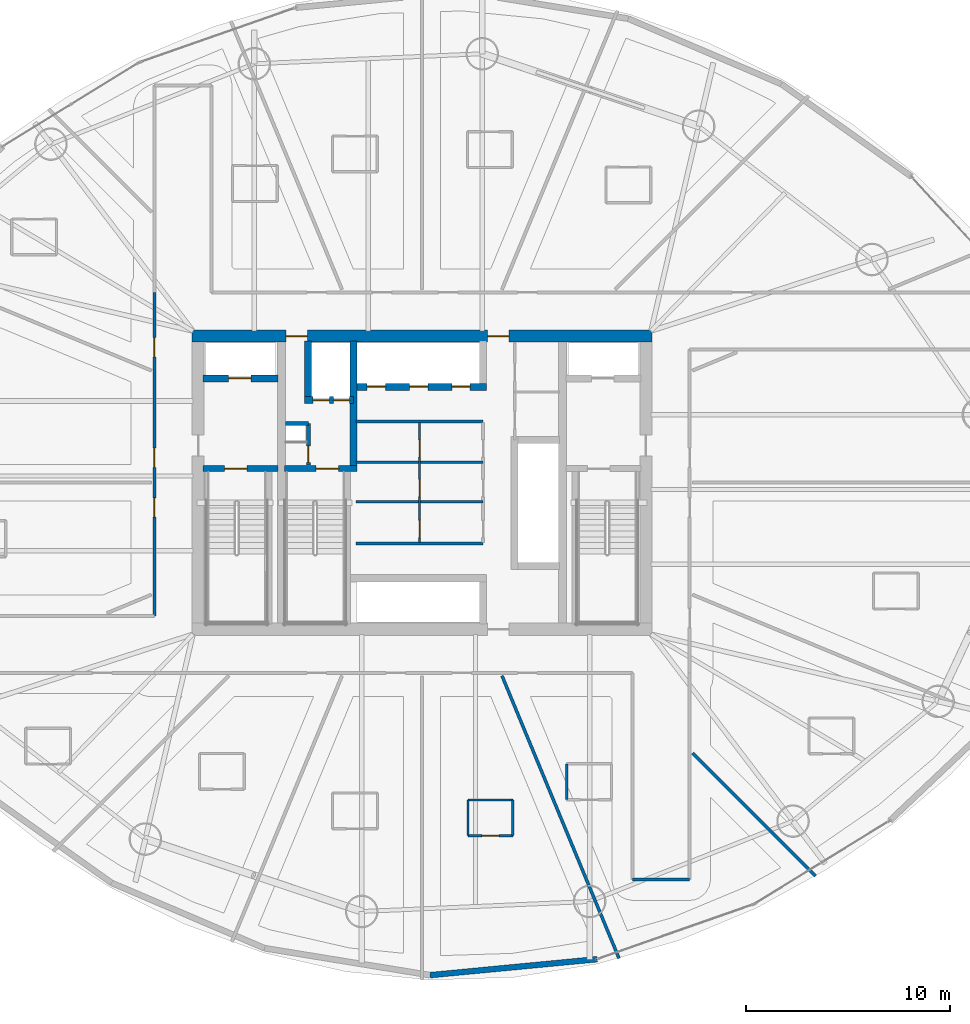
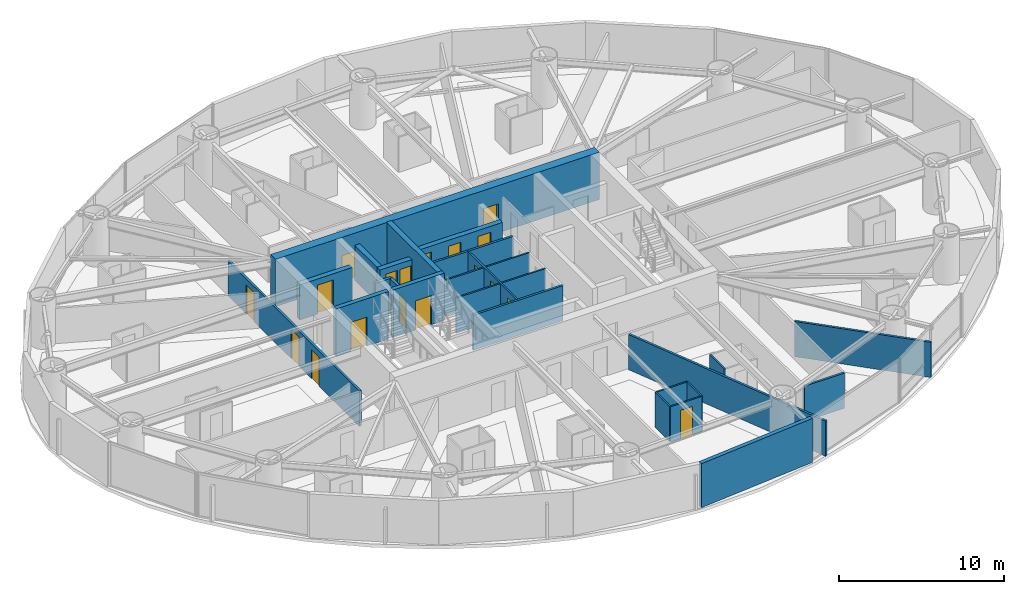
# One storey, part 19 of 27: 25 walls, 18 doors, 18 openings.
"""IFC4 building model written with IfcOpenShell, lengths in metres."""

import ifcopenshell
import ifcopenshell.guid

model = None  # the IFC model being written
_history = None  # IfcOwnerHistory: only IFC2X3 demands one
_inside = {}  # id of a spatial element -> (the spatial element, [elements in it])
_under = {}  # id of a project, library or spatial element -> (it, [spatial elements below it])
_declared = {}  # id of a project -> (the project, [libraries it declares])
_typed = {}  # id of a type object -> (the type object, [elements of that type])
_made_of = {}  # id of a material, layer set ... -> (it, [elements and type objects made of it])


def new_model(schema):
    """Start an empty IFC model of exactly this schema.

    Asked for "IFC4X3", IfcOpenShell would pick the latest addendum, in which some entities
    have other attributes; the version numbers below select the first issue.
    IFC2X3 requires an IfcOwnerHistory on every rooted entity: one is made here for all.
    """
    global model, _history
    if schema == "IFC4X3":
        model = ifcopenshell.file(schema_version=(4, 3, 0, 0))
    else:
        model = ifcopenshell.file(schema=schema)
    _inside.clear()
    _under.clear()
    _declared.clear()
    _typed.clear()
    _made_of.clear()
    _history = None
    if model.schema == "IFC2X3":
        org = make("IfcOrganization", Name="unknown")
        user = make(
            "IfcPersonAndOrganization",
            ThePerson=make("IfcPerson", FamilyName="unknown"),
            TheOrganization=org,
        )
        app = make(
            "IfcApplication",
            ApplicationDeveloper=org,
            Version="unknown",
            ApplicationFullName="unknown",
            ApplicationIdentifier="unknown",
        )
        _history = make(
            "IfcOwnerHistory",
            OwningUser=user,
            OwningApplication=app,
            ChangeAction="ADDED",
            CreationDate=0,
        )
    return model


def make(cls, **values):
    """One entity of the class cls with the attributes given. An attribute that is None is left unset."""
    return model.create_entity(
        cls, **{name: value for name, value in values.items() if value is not None}
    )


def rooted(cls, **values):
    """An entity with a GlobalId (a new one), such as an element, a storey or a relation."""
    return make(cls, GlobalId=ifcopenshell.guid.new(), OwnerHistory=_history, **values)


def si_unit(unit_type, name, prefix=None):
    """IfcSIUnit, for example si_unit("LENGTHUNIT", "METRE", prefix="MILLI")."""
    return make("IfcSIUnit", UnitType=unit_type, Prefix=prefix, Name=name)


def assignment(units):
    """IfcUnitAssignment: the units of a project."""
    return None if units is None else make("IfcUnitAssignment", Units=units)


def point(xyz):
    """IfcCartesianPoint."""
    return None if xyz is None else make("IfcCartesianPoint", Coordinates=xyz)


def direction(xyz):
    """IfcDirection."""
    return None if xyz is None else make("IfcDirection", DirectionRatios=xyz)


def frame(location, z_axis=None, x_axis=None):
    """IfcAxis2Placement3D, a coordinate frame: its origin and axes. An axis left out is left unset."""
    return make(
        "IfcAxis2Placement3D",
        Location=point(location),
        Axis=direction(z_axis),
        RefDirection=direction(x_axis),
    )


def frame_2d(location, x_axis=None):
    """IfcAxis2Placement2D, a coordinate frame in the plane: its origin and x axis."""
    return make(
        "IfcAxis2Placement2D", Location=point(location), RefDirection=direction(x_axis)
    )


def origin():
    """The frame at (0, 0, 0) with its axes left unset."""
    return frame((0.0, 0.0, 0.0))


def place(relative_to, where):
    """IfcLocalPlacement: puts the frame where relative to a parent placement (None: the world)."""
    return make(
        "IfcLocalPlacement", PlacementRelTo=relative_to, RelativePlacement=where
    )


def context(
    kind, dimensions, precision=None, world=None, true_north=None, identifier=None
):
    """IfcGeometricRepresentationContext, for example the 3D "Model" context."""
    return make(
        "IfcGeometricRepresentationContext",
        ContextIdentifier=identifier,
        ContextType=kind,
        CoordinateSpaceDimension=dimensions,
        Precision=precision,
        WorldCoordinateSystem=world,
        TrueNorth=true_north,
    )


def subcontext(parent, identifier, kind, view, scale=None):
    """IfcGeometricRepresentationSubContext, for example "Body" below "Model"."""
    return make(
        "IfcGeometricRepresentationSubContext",
        ContextIdentifier=identifier,
        ContextType=kind,
        ParentContext=parent,
        TargetScale=scale,
        TargetView=view,
    )


def project(units=None, contexts=None):
    """IfcProject with its units and contexts."""
    return rooted(
        "IfcProject",
        Name="project",
        RepresentationContexts=contexts,
        UnitsInContext=assignment(units),
    )


def spatial(cls, under=None, at=None, **own):
    """A site, building, storey or space (cls), placed at a placement, below another one or the project."""
    s = rooted(cls, ObjectPlacement=at, **own)
    if under is not None:
        _under.setdefault(under.id(), (under, []))[1].append(s)
    return s


def profile(cls, at=None, kind="AREA", **sizes):
    """A parametric profile (cls). Its sizes go by their IFC names, for example OverallWidth=200.0."""
    return make(cls, ProfileType=kind, Position=at, **sizes)


def rectangle(**sizes):
    """IfcRectangleProfileDef."""
    return profile("IfcRectangleProfileDef", **sizes)


def extrude(swept, where, along, depth):
    """IfcExtrudedAreaSolid: the profile swept, set in the frame where, extruded along a direction by depth."""
    return make(
        "IfcExtrudedAreaSolid",
        SweptArea=swept,
        Position=where,
        ExtrudedDirection=direction(along),
        Depth=depth,
    )


def shape(context_of_items, identifier, shape_type, items):
    """IfcShapeRepresentation: the items that make up one representation, for example the "Body"."""
    return make(
        "IfcShapeRepresentation",
        ContextOfItems=context_of_items,
        RepresentationIdentifier=identifier,
        RepresentationType=shape_type,
        Items=items,
    )


def material(Name=None, Category=None):
    """IfcMaterial."""
    return make("IfcMaterial", Name=Name, Category=Category)


def layer(
    of_material, thickness, ventilated=None, Name=None, Category=None, Priority=None
):
    """IfcMaterialLayer: one layer of a wall or slab, of a material (None: an air gap)."""
    return make(
        "IfcMaterialLayer",
        Material=of_material,
        LayerThickness=thickness,
        IsVentilated=ventilated,
        Name=Name,
        Category=Category,
        Priority=Priority,
    )


def layer_set(layers, Name=None):
    """IfcMaterialLayerSet."""
    return make("IfcMaterialLayerSet", MaterialLayers=layers, LayerSetName=Name)


def made_of(thing, what):
    """Note that an element or type object is made of a material, layer set ...; save() writes the relation."""
    if what is not None:
        _made_of.setdefault(what.id(), (what, []))[1].append(thing)
    return thing


def type_object(cls, material=None, **own):
    """A type object (cls), such as IfcWallType, which elements share."""
    return made_of(rooted(cls, **own), material)


def element(
    cls,
    number,
    at=None,
    inside=None,
    cuts=None,
    type_object=None,
    material=None,
    context=None,
    identifier="Body",
    shape_type=None,
    held_by="IfcProductDefinitionShape",
    body=None,
    shapes=None,
    **own,
):
    """One element of the class cls, such as IfcWall. Its Tag is "e" and its number.

    at: its placement. inside: the storey or other place that contains it. cuts: it is an
    opening in that element (IfcRelVoidsElement). A single representation is given by context,
    identifier, shape_type and body (its items); several are given by shapes. held_by: the class
    of the entity that holds the representations. save() writes the other relations.
    """
    e = rooted(cls, Tag="e%d" % number, ObjectPlacement=at, **own)
    if body is not None:
        shapes = [shape(context, identifier, shape_type, body)]
    if shapes is not None:
        e.Representation = make(held_by, Representations=shapes)
    if inside is not None:
        _inside.setdefault(inside.id(), (inside, []))[1].append(e)
    if cuts is not None:
        rooted(
            "IfcRelVoidsElement", RelatingBuildingElement=cuts, RelatedOpeningElement=e
        )
    if type_object is not None:
        _typed.setdefault(type_object.id(), (type_object, []))[1].append(e)
    return made_of(e, material)


def fill(opening, filler):
    """IfcRelFillsElement: the door or window that sits in an opening."""
    return rooted(
        "IfcRelFillsElement",
        RelatingOpeningElement=opening,
        RelatedBuildingElement=filler,
    )


def aggregate(whole, parts):
    """IfcRelAggregates: a whole, such as a stair, and the parts it consists of."""
    return rooted("IfcRelAggregates", RelatingObject=whole, RelatedObjects=parts)


def save(model, path):
    """Write the relations noted so far, then the file.

    IfcRelAggregates (storeys below a building ...), IfcRelContainedInSpatialStructure (elements
    in a storey), IfcRelDefinesByType, IfcRelAssociatesMaterial and IfcRelDeclares: one each for
    every whole, place, type object, material and project.
    """
    for whole, parts in _under.values():
        aggregate(whole, parts)
    for where, things in _inside.values():
        rooted(
            "IfcRelContainedInSpatialStructure",
            RelatedElements=things,
            RelatingStructure=where,
        )
    for kind, things in _typed.values():
        rooted("IfcRelDefinesByType", RelatedObjects=things, RelatingType=kind)
    for what, things in _made_of.values():
        rooted("IfcRelAssociatesMaterial", RelatedObjects=things, RelatingMaterial=what)
    for by, libraries in _declared.values():
        rooted("IfcRelDeclares", RelatingContext=by, RelatedDefinitions=libraries)
    model.write(path)


model = new_model("IFC4")

# Units and contexts
model_context = context("Model", 3, precision=1e-05, world=origin(), true_north=direction((0.0, 1.0)))
body_context = subcontext(model_context, "Body", "Model", "MODEL_VIEW")
ifc_project = project(units=[si_unit("LENGTHUNIT", "METRE"), si_unit("AREAUNIT", "SQUARE_METRE"), si_unit("VOLUMEUNIT", "CUBIC_METRE"), si_unit("PLANEANGLEUNIT", "RADIAN"), si_unit("MASSUNIT", "GRAM", prefix="KILO")], contexts=[model_context])

# Site, building, storey
site_placement = place(None, origin())
site = spatial("IfcSite", under=ifc_project, at=site_placement, CompositionType="ELEMENT")
building_placement = place(site_placement, origin())
building = spatial("IfcBuilding", under=site, at=building_placement, Name="Bramvorn Convention Spire", CompositionType="ELEMENT")
storey_placement = place(building_placement, frame((0.0, 0.0, 44.89990234375)))
storey = spatial("IfcBuildingStorey", under=building, at=storey_placement, Name="L08", CompositionType="ELEMENT", Elevation=44.89990234375)

# Wall, openings, doors
ifc_material_1 = material(Name="Concrete C60/70", Category="concrete")
ifc_layer_1 = layer(ifc_material_1, 0.60009765625)
ifc_layer_set_1 = layer_set([ifc_layer_1], Name="Concrete C60/70 - WL-CORE-600")
wall_type_1 = type_object("IfcWallType", Name="WL-CORE-600", PredefinedType="SHEAR", material=ifc_layer_set_1)
wall_1_placement = place(storey_placement, frame((26.699951171875, 33.199951171875, 0.0), z_axis=(0.0, 0.0, 1.0), x_axis=(1.0, 0.0, 0.0)))
wall_1 = element("IfcWall", 1, at=wall_1_placement, inside=storey, type_object=wall_type_1, Name="L08 North RC core shear wall", PredefinedType="SHEAR", context=body_context, shape_type="SweptSolid", body=[
    extrude(rectangle(XDim=22.60009765625, YDim=0.60009765625, at=frame_2d((11.300048828125, 0.0))), origin(), (0.0, 0.0, 1.0), 3.5),
])
opening_1_placement = place(wall_1_placement, frame((4.6201171875, 0.0, 0.0)))
opening_1 = element("IfcOpeningElement", 2, at=opening_1_placement, cuts=wall_1, Name="Opening DL-105", PredefinedType="OPENING", context=body_context, shape_type="SweptSolid", body=[
    extrude(rectangle(XDim=1.050048828125, YDim=2.14990234375, at=frame_2d((0.52490234375, 1.074951171875))), frame((0.0, 0.31005859375, 0.0), z_axis=(0.0, -1.0, 0.0), x_axis=(1.0, 0.0, 0.0)), (0.0, 0.0, 1.0), 0.6201171875),
])
opening_2_placement = place(wall_1_placement, frame((14.52001953125, 0.0, 0.0)))
opening_2 = element("IfcOpeningElement", 3, at=opening_2_placement, cuts=wall_1, Name="Opening DL-105", PredefinedType="OPENING", context=body_context, shape_type="SweptSolid", body=[
    extrude(rectangle(XDim=1.050048828125, YDim=2.14990234375, at=frame_2d((0.52490234375, 1.074951171875))), frame((0.0, 0.31005859375, 0.0), z_axis=(0.0, -1.0, 0.0), x_axis=(1.0, 0.0, 0.0)), (0.0, 0.0, 1.0), 0.6201171875),
])
ifc_material_2 = material(Name="Smoke-Sealed Fire Lobby Timber-Core Door", Category="wood")
door_type_1 = type_object("IfcDoorType", Name="DR-LOBBY-1050", OperationType="NOTDEFINED", PredefinedType="DOOR", material=ifc_material_2)
door_1_placement = place(opening_1_placement, origin())
door_1 = element("IfcDoor", 4, at=door_1_placement, inside=storey, type_object=door_type_1, Name="L08 Service & Stair ST3 Lobby north corridor door", OperationType="SINGLE_SWING_LEFT", OverallHeight=2.14990234375, OverallWidth=1.050048828125, PredefinedType="DOOR", context=body_context, shape_type="SweptSolid", body=[
    extrude(rectangle(XDim=1.050048828125, YDim=2.14990234375, at=frame_2d((0.52490234375, 1.074951171875))), frame((0.0, 0.02490234375, 0.0), z_axis=(0.0, -1.0, 0.0), x_axis=(1.0, 0.0, 0.0)), (0.0, 0.0, 1.0), 0.050048828125),
])
fill(opening_1, door_1)
door_2_placement = place(opening_2_placement, origin())
door_2 = element("IfcDoor", 5, at=door_2_placement, inside=storey, type_object=door_type_1, Name="L08 North Lift Lobby fire door", OperationType="SINGLE_SWING_LEFT", OverallHeight=2.14990234375, OverallWidth=1.050048828125, PredefinedType="DOOR", context=body_context, shape_type="SweptSolid", body=[
    extrude(rectangle(XDim=1.050048828125, YDim=2.14990234375, at=frame_2d((0.52490234375, 1.074951171875))), frame((0.0, 0.02490234375, 0.0), z_axis=(0.0, -1.0, 0.0), x_axis=(1.0, 0.0, 0.0)), (0.0, 0.0, 1.0), 0.050048828125),
])
fill(opening_2, door_2)

# Wall, opening, door
ifc_material_3 = material(Name="Concrete C50/60", Category="concrete")
ifc_layer_2 = layer(ifc_material_3, 0.35009765625)
ifc_layer_set_2 = layer_set([ifc_layer_2], Name="Concrete C50/60 - WL-CORE-INT-350")
wall_type_2 = type_object("IfcWallType", Name="WL-CORE-INT-350", PredefinedType="SHEAR", material=ifc_layer_set_2)
wall_2_placement = place(storey_placement, frame((27.25, 31.1201171875, 0.0), z_axis=(0.0, 0.0, 1.0), x_axis=(1.0, 0.0, 0.0)))
wall_2 = element("IfcWall", 6, at=wall_2_placement, inside=storey, type_object=wall_type_2, Name="L08 FE1 shaft front wall", PredefinedType="SHEAR", context=body_context, shape_type="SweptSolid", body=[
    extrude(rectangle(XDim=3.669921875, YDim=0.35009765625, at=frame_2d((1.8349609375, 0.0))), origin(), (0.0, 0.0, 1.0), 2.60009765625),
])
opening_3_placement = place(wall_2_placement, frame((1.25, 0.0, 0.0)))
opening_3 = element("IfcOpeningElement", 7, at=opening_3_placement, cuts=wall_2, Name="Opening LD-110", PredefinedType="OPENING", context=body_context, shape_type="SweptSolid", body=[
    extrude(rectangle(XDim=1.10009765625, YDim=2.14990234375, at=frame_2d((0.550048828125, 1.074951171875))), frame((0.0, 0.18505859375, 0.0), z_axis=(0.0, -1.0, 0.0), x_axis=(1.0, 0.0, 0.0)), (0.0, 0.0, 1.0), 0.3701171875),
])
ifc_material_4 = material(Name="Firefighting & Service Lift Sliding Landing Door", Category="steel")
door_type_2 = type_object("IfcDoorType", Name="DR-LIFT-LD-1100", OperationType="NOTDEFINED", PredefinedType="DOOR", material=ifc_material_4)
door_3_placement = place(opening_3_placement, origin())
door_3 = element("IfcDoor", 8, at=door_3_placement, inside=storey, type_object=door_type_2, Name="L08 Lift FE1 Sliding Landing Door", OperationType="SLIDING_TO_LEFT", OverallHeight=2.14990234375, OverallWidth=1.10009765625, PredefinedType="DOOR", context=body_context, shape_type="SweptSolid", body=[
    extrude(rectangle(XDim=1.10009765625, YDim=2.14990234375, at=frame_2d((0.550048828125, 1.074951171875))), frame((0.0, 0.02490234375, 0.0), z_axis=(0.0, -1.0, 0.0), x_axis=(1.0, 0.0, 0.0)), (0.0, 0.0, 1.0), 0.050048828125),
])
fill(opening_3, door_3)

# Wall
wall_3_placement = place(storey_placement, frame((34.639892578125, 26.68994140625, 0.0), z_axis=(0.0, 0.0, 1.0), x_axis=(0.0, 1.0, 0.0)))
element("IfcWall", 9, at=wall_3_placement, inside=storey, type_object=wall_type_2, Name="L08 SV east core shaft wall", PredefinedType="SHEAR", context=body_context, shape_type="SweptSolid", body=[
    extrude(rectangle(XDim=6.260009765625, YDim=0.35009765625, at=frame_2d((3.1298828125, 0.0))), origin(), (0.0, 0.0, 1.0), 3.5),
])

# Wall, openings, doors
wall_4_placement = place(storey_placement, frame((32.22998046875, 30.050048828125, 0.0), z_axis=(0.0, 0.0, 1.0), x_axis=(1.0, 0.0, 0.0)))
wall_4 = element("IfcWall", 10, at=wall_4_placement, inside=storey, type_object=wall_type_2, Name="L08 SV1/SV2 shaft front wall", PredefinedType="SHEAR", context=body_context, shape_type="SweptSolid", body=[
    extrude(rectangle(XDim=2.409912109375, YDim=0.35009765625, at=frame_2d((1.205078125, 0.0))), origin(), (0.0, 0.0, 1.0), 2.60009765625),
])
opening_4_placement = place(wall_4_placement, frame((0.419921875, 0.0, 0.0)))
opening_4 = element("IfcOpeningElement", 11, at=opening_4_placement, cuts=wall_4, Name="Opening LD-080", PredefinedType="OPENING", context=body_context, shape_type="SweptSolid", body=[
    extrude(rectangle(XDim=0.800048828125, YDim=2.14990234375, at=frame_2d((0.39990234375, 1.074951171875))), frame((0.0, 0.18505859375, 0.0), z_axis=(0.0, -1.0, 0.0), x_axis=(1.0, 0.0, 0.0)), (0.0, 0.0, 1.0), 0.3701171875),
])
opening_5_placement = place(wall_4_placement, frame((1.419921875, 0.0, 0.0)))
opening_5 = element("IfcOpeningElement", 12, at=opening_5_placement, cuts=wall_4, Name="Opening LD-080", PredefinedType="OPENING", context=body_context, shape_type="SweptSolid", body=[
    extrude(rectangle(XDim=0.800048828125, YDim=2.14990234375, at=frame_2d((0.39990234375, 1.074951171875))), frame((0.0, 0.18505859375, 0.0), z_axis=(0.0, -1.0, 0.0), x_axis=(1.0, 0.0, 0.0)), (0.0, 0.0, 1.0), 0.3701171875),
])
ifc_material_5 = material(Name="Service Lift Bi-Parting Landing Door", Category="steel")
door_type_3 = type_object("IfcDoorType", Name="DR-LIFT-LD-800", OperationType="NOTDEFINED", PredefinedType="DOOR", material=ifc_material_5)
door_4_placement = place(opening_4_placement, origin())
door_4 = element("IfcDoor", 13, at=door_4_placement, inside=storey, type_object=door_type_3, Name="L08 Lift SV1 Sliding Landing Door", OperationType="SLIDING_TO_LEFT", OverallHeight=2.14990234375, OverallWidth=0.800048828125, PredefinedType="DOOR", context=body_context, shape_type="SweptSolid", body=[
    extrude(rectangle(XDim=0.800048828125, YDim=2.14990234375, at=frame_2d((0.39990234375, 1.074951171875))), frame((0.0, 0.02490234375, 0.0), z_axis=(0.0, -1.0, 0.0), x_axis=(1.0, 0.0, 0.0)), (0.0, 0.0, 1.0), 0.050048828125),
])
fill(opening_4, door_4)
door_5_placement = place(opening_5_placement, origin())
door_5 = element("IfcDoor", 14, at=door_5_placement, inside=storey, type_object=door_type_3, Name="L08 Lift SV2 Sliding Landing Door", OperationType="SLIDING_TO_LEFT", OverallHeight=2.14990234375, OverallWidth=0.800048828125, PredefinedType="DOOR", context=body_context, shape_type="SweptSolid", body=[
    extrude(rectangle(XDim=0.800048828125, YDim=2.14990234375, at=frame_2d((0.39990234375, 1.074951171875))), frame((0.0, 0.02490234375, 0.0), z_axis=(0.0, -1.0, 0.0), x_axis=(1.0, 0.0, 0.0)), (0.0, 0.0, 1.0), 0.050048828125),
])
fill(opening_5, door_5)

# Wall
wall_5_placement = place(storey_placement, frame((32.39990234375, 30.219970703125, 0.0), z_axis=(0.0, 0.0, 1.0), x_axis=(0.0, 1.0, 0.0)))
element("IfcWall", 15, at=wall_5_placement, inside=storey, type_object=wall_type_2, Name="L08 SV1 west hoistway wall", PredefinedType="SHEAR", context=body_context, shape_type="SweptSolid", body=[
    extrude(rectangle(XDim=2.72998046875, YDim=0.35009765625, at=frame_2d((1.364990234375, 0.0))), origin(), (0.0, 0.0, 1.0), 2.60009765625),
])

# Wall, openings, doors
wall_6_placement = place(storey_placement, frame((34.81005859375, 30.699951171875, 0.0), z_axis=(0.0, 0.0, 1.0), x_axis=(1.0, 0.0, 0.0)))
wall_6 = element("IfcWall", 16, at=wall_6_placement, inside=storey, type_object=wall_type_2, Name="L08 Low-rise bank south landing wall", PredefinedType="SHEAR", context=body_context, shape_type="SweptSolid", body=[
    extrude(rectangle(XDim=6.35986328125, YDim=0.35009765625, at=frame_2d((3.179931640625, 0.0))), origin(), (0.0, 0.0, 1.0), 2.60009765625),
])
opening_6_placement = place(wall_6_placement, frame((0.5, 0.0, 0.0)))
opening_6 = element("IfcOpeningElement", 17, at=opening_6_placement, cuts=wall_6, Name="Opening LD-090", PredefinedType="OPENING", context=body_context, shape_type="SweptSolid", body=[
    extrude(rectangle(XDim=0.89990234375, YDim=2.14990234375, at=frame_2d((0.449951171875, 1.074951171875))), frame((0.0, 0.18505859375, 0.0), z_axis=(0.0, -1.0, 0.0), x_axis=(1.0, 0.0, 0.0)), (0.0, 0.0, 1.0), 0.3701171875),
])
opening_7_placement = place(wall_6_placement, frame((2.580078125, 0.0, 0.0)))
opening_7 = element("IfcOpeningElement", 18, at=opening_7_placement, cuts=wall_6, Name="Opening LD-090", PredefinedType="OPENING", context=body_context, shape_type="SweptSolid", body=[
    extrude(rectangle(XDim=0.89990234375, YDim=2.14990234375, at=frame_2d((0.449951171875, 1.074951171875))), frame((0.0, 0.18505859375, 0.0), z_axis=(0.0, -1.0, 0.0), x_axis=(1.0, 0.0, 0.0)), (0.0, 0.0, 1.0), 0.3701171875),
])
opening_8_placement = place(wall_6_placement, frame((4.659912109375, 0.0, 0.0)))
opening_8 = element("IfcOpeningElement", 19, at=opening_8_placement, cuts=wall_6, Name="Opening LD-090", PredefinedType="OPENING", context=body_context, shape_type="SweptSolid", body=[
    extrude(rectangle(XDim=0.89990234375, YDim=2.14990234375, at=frame_2d((0.449951171875, 1.074951171875))), frame((0.0, 0.18505859375, 0.0), z_axis=(0.0, -1.0, 0.0), x_axis=(1.0, 0.0, 0.0)), (0.0, 0.0, 1.0), 0.3701171875),
])
ifc_material_6 = material(Name="Bi-Parting Fire-Rated Lift Landing Door", Category="steel")
door_type_4 = type_object("IfcDoorType", Name="DR-LIFT-LD-900", OperationType="NOTDEFINED", PredefinedType="DOOR", material=ifc_material_6)
door_6_placement = place(opening_6_placement, origin())
door_6 = element("IfcDoor", 20, at=door_6_placement, inside=storey, type_object=door_type_4, Name="L08 Lift PL1 Sliding Landing Door", OperationType="SLIDING_TO_LEFT", OverallHeight=2.14990234375, OverallWidth=0.89990234375, PredefinedType="DOOR", context=body_context, shape_type="SweptSolid", body=[
    extrude(rectangle(XDim=0.89990234375, YDim=2.14990234375, at=frame_2d((0.449951171875, 1.074951171875))), frame((0.0, 0.02490234375, 0.0), z_axis=(0.0, -1.0, 0.0), x_axis=(1.0, 0.0, 0.0)), (0.0, 0.0, 1.0), 0.050048828125),
])
fill(opening_6, door_6)
door_7_placement = place(opening_7_placement, origin())
door_7 = element("IfcDoor", 21, at=door_7_placement, inside=storey, type_object=door_type_4, Name="L08 Lift PL2 Sliding Landing Door", OperationType="SLIDING_TO_LEFT", OverallHeight=2.14990234375, OverallWidth=0.89990234375, PredefinedType="DOOR", context=body_context, shape_type="SweptSolid", body=[
    extrude(rectangle(XDim=0.89990234375, YDim=2.14990234375, at=frame_2d((0.449951171875, 1.074951171875))), frame((0.0, 0.02490234375, 0.0), z_axis=(0.0, -1.0, 0.0), x_axis=(1.0, 0.0, 0.0)), (0.0, 0.0, 1.0), 0.050048828125),
])
fill(opening_7, door_7)
door_8_placement = place(opening_8_placement, origin())
door_8 = element("IfcDoor", 22, at=door_8_placement, inside=storey, type_object=door_type_4, Name="L08 Lift PL3 Sliding Landing Door", OperationType="SLIDING_TO_LEFT", OverallHeight=2.14990234375, OverallWidth=0.89990234375, PredefinedType="DOOR", context=body_context, shape_type="SweptSolid", body=[
    extrude(rectangle(XDim=0.89990234375, YDim=2.14990234375, at=frame_2d((0.449951171875, 1.074951171875))), frame((0.0, 0.02490234375, 0.0), z_axis=(0.0, -1.0, 0.0), x_axis=(1.0, 0.0, 0.0)), (0.0, 0.0, 1.0), 0.050048828125),
])
fill(opening_8, door_8)

# Wall
ifc_material_7 = material(Name="Precast Concrete C40/50 with Bronze Terracotta Rainscreen", Category="masonry")
ifc_layer_3 = layer(ifc_material_7, 0.300048828125)
ifc_layer_set_3 = layer_set([ifc_layer_3], Name="Precast Concrete C40/50 with Bronze Terracotta Rainscreen - WL-EXT-BRONZE-300")
wall_type_3 = type_object("IfcWallType", Name="WL-EXT-BRONZE-300", PredefinedType="SOLIDWALL", material=ifc_layer_set_3)
wall_7_placement = place(storey_placement, frame((46.60205078125, 2.5869140625, 0.0), z_axis=(0.0, 0.0, 1.0), x_axis=(-0.995465733782, -0.095120832972, 0.0)))
element("IfcWall", 23, at=wall_7_placement, inside=storey, type_object=wall_type_3, Name="L08 expressed bronze Gothic lancet pier wall 19", PredefinedType="SOLIDWALL", context=body_context, shape_type="SweptSolid", body=[
    extrude(rectangle(XDim=8.241455078125, YDim=0.280029296875, at=frame_2d((4.12060546875, 0.0))), origin(), (0.0, 0.0, 1.0), 3.25),
])

# Wall, openings, doors
ifc_material_8 = material(Name="Lightweight En-Suite & Wet-Wall Partition", Category="gypsum")
ifc_layer_4 = layer(ifc_material_8, 0.110107421875)
ifc_layer_set_4 = layer_set([ifc_layer_4], Name="Lightweight En-Suite & Wet-Wall Partition - WL-PART-110")
wall_type_4 = type_object("IfcWallType", Name="WL-PART-110", PredefinedType="PARTITIONING", material=ifc_layer_set_4)
wall_8_placement = place(storey_placement, frame((37.8798828125, 23.050048828125, 0.0), z_axis=(0.0, 0.0, 1.0), x_axis=(0.0, 1.0, 0.0)))
wall_8 = element("IfcWall", 24, at=wall_8_placement, inside=storey, type_object=wall_type_4, Name="L08 KB center wall", PredefinedType="PARTITIONING", context=body_context, shape_type="SweptSolid", body=[
    extrude(rectangle(XDim=5.89990234375, YDim=0.110107421875, at=frame_2d((2.949951171875, 0.0))), origin(), (0.0, 0.0, 1.0), 2.60009765625),
])
opening_9_placement = place(wall_8_placement, frame((0.25, 0.0, 0.0)))
opening_9 = element("IfcOpeningElement", 25, at=opening_9_placement, cuts=wall_8, Name="Opening DC-085", PredefinedType="OPENING", context=body_context, shape_type="SweptSolid", body=[
    extrude(rectangle(XDim=0.85009765625, YDim=2.10009765625, at=frame_2d((0.425048828125, 1.050048828125))), frame((0.0, 0.06494140625, 0.0), z_axis=(0.0, -1.0, 0.0), x_axis=(1.0, 0.0, 0.0)), (0.0, 0.0, 1.0), 0.130126953125),
])
opening_10_placement = place(wall_8_placement, frame((2.256103515625, 0.0, 0.0)))
opening_10 = element("IfcOpeningElement", 26, at=opening_10_placement, cuts=wall_8, Name="Opening DC-085", PredefinedType="OPENING", context=body_context, shape_type="SweptSolid", body=[
    extrude(rectangle(XDim=0.85009765625, YDim=2.10009765625, at=frame_2d((0.425048828125, 1.050048828125))), frame((0.0, 0.06494140625, 0.0), z_axis=(0.0, -1.0, 0.0), x_axis=(1.0, 0.0, 0.0)), (0.0, 0.0, 1.0), 0.130126953125),
])
opening_11_placement = place(wall_8_placement, frame((4.202880859375, 0.0, 0.0)))
opening_11 = element("IfcOpeningElement", 27, at=opening_11_placement, cuts=wall_8, Name="Opening DC-085", PredefinedType="OPENING", context=body_context, shape_type="SweptSolid", body=[
    extrude(rectangle(XDim=0.85009765625, YDim=2.10009765625, at=frame_2d((0.425048828125, 1.050048828125))), frame((0.0, 0.06494140625, 0.0), z_axis=(0.0, -1.0, 0.0), x_axis=(1.0, 0.0, 0.0)), (0.0, 0.0, 1.0), 0.130126953125),
])
ifc_material_9 = material(Name="Fire-Rated Core Washroom & IDF Door", Category="wood")
door_type_5 = type_object("IfcDoorType", Name="DR-CORE-850", OperationType="NOTDEFINED", PredefinedType="DOOR", material=ifc_material_9)
door_9_placement = place(opening_9_placement, origin())
door_9 = element("IfcDoor", 28, at=door_9_placement, inside=storey, type_object=door_type_5, Name="L08 Core Linen Store door", OperationType="SINGLE_SWING_LEFT", OverallHeight=2.10009765625, OverallWidth=0.85009765625, PredefinedType="DOOR", context=body_context, shape_type="SweptSolid", body=[
    extrude(rectangle(XDim=0.85009765625, YDim=2.10009765625, at=frame_2d((0.425048828125, 1.050048828125))), frame((0.0, 0.02490234375, 0.0), z_axis=(0.0, -1.0, 0.0), x_axis=(1.0, 0.0, 0.0)), (0.0, 0.0, 1.0), 0.050048828125),
])
fill(opening_9, door_9)
door_10_placement = place(opening_10_placement, origin())
door_10 = element("IfcDoor", 29, at=door_10_placement, inside=storey, type_object=door_type_5, Name="L08 Core Metering Closet door", OperationType="SINGLE_SWING_LEFT", OverallHeight=2.10009765625, OverallWidth=0.85009765625, PredefinedType="DOOR", context=body_context, shape_type="SweptSolid", body=[
    extrude(rectangle(XDim=0.85009765625, YDim=2.10009765625, at=frame_2d((0.425048828125, 1.050048828125))), frame((0.0, 0.02490234375, 0.0), z_axis=(0.0, -1.0, 0.0), x_axis=(1.0, 0.0, 0.0)), (0.0, 0.0, 1.0), 0.050048828125),
])
fill(opening_10, door_10)
door_11_placement = place(opening_11_placement, origin())
door_11 = element("IfcDoor", 30, at=door_11_placement, inside=storey, type_object=door_type_5, Name="L08 Core Janitor Supply door", OperationType="SINGLE_SWING_LEFT", OverallHeight=2.10009765625, OverallWidth=0.85009765625, PredefinedType="DOOR", context=body_context, shape_type="SweptSolid", body=[
    extrude(rectangle(XDim=0.85009765625, YDim=2.10009765625, at=frame_2d((0.425048828125, 1.050048828125))), frame((0.0, 0.02490234375, 0.0), z_axis=(0.0, -1.0, 0.0), x_axis=(1.0, 0.0, 0.0)), (0.0, 0.0, 1.0), 0.050048828125),
])
fill(opening_11, door_11)

# Walls
for number, where, z_axis, x_axis, name in (
    (31, (34.75, 25.055908203125, 0.0), (0.0, 0.0, 1.0), (1.0, 0.0, 0.0), "L08 KB divider 1"),
    (32, (34.75, 27.0029296875, 0.0), (0.0, 0.0, 1.0), (1.0, 0.0, 0.0), "L08 KB divider 2"),
):
    element("IfcWall", number, at=place(storey_placement, frame(where, z_axis=z_axis, x_axis=x_axis)), inside=storey, type_object=wall_type_4, Name=name, PredefinedType="PARTITIONING", context=body_context, shape_type="SweptSolid", body=[
        extrude(rectangle(XDim=6.25, YDim=0.110107421875, at=frame_2d((3.125, 0.0))), origin(), (0.0, 0.0, 1.0), 2.60009765625),
    ])

# Wall, opening, door
wall_9_placement = place(storey_placement, frame((40.260986328125, 8.6533203125, 0.0), z_axis=(0.0, 0.0, 1.0), x_axis=(1.0, 0.0, 0.0)))
wall_9 = element("IfcWall", 33, at=wall_9_placement, inside=storey, type_object=wall_type_4, Name="Hotel Suite 0813 en-suite south wall", PredefinedType="PARTITIONING", context=body_context, shape_type="SweptSolid", body=[
    extrude(rectangle(XDim=2.199951171875, YDim=0.110107421875, at=frame_2d((1.10009765625, 0.0))), origin(), (0.0, 0.0, 1.0), 2.60009765625),
])
opening_12_placement = place(wall_9_placement, frame((0.679931640625, 0.0, 0.0)))
opening_12 = element("IfcOpeningElement", 34, at=opening_12_placement, cuts=wall_9, Name="Opening DI-085", PredefinedType="OPENING", context=body_context, shape_type="SweptSolid", body=[
    extrude(rectangle(XDim=0.85009765625, YDim=2.10009765625, at=frame_2d((0.425048828125, 1.050048828125))), frame((0.0, 0.06494140625, 0.0), z_axis=(0.0, -1.0, 0.0), x_axis=(1.0, 0.0, 0.0)), (0.0, 0.0, 1.0), 0.130126953125),
])
ifc_material_10 = material(Name="En-Suite & Restroom Privacy Door", Category="wood")
door_type_6 = type_object("IfcDoorType", Name="DR-INT-850", OperationType="NOTDEFINED", PredefinedType="DOOR", material=ifc_material_10)
door_12_placement = place(opening_12_placement, origin())
door_12 = element("IfcDoor", 35, at=door_12_placement, inside=storey, type_object=door_type_6, Name="Hotel Suite 0813 En-Suite Bathroom door", OperationType="SINGLE_SWING_LEFT", OverallHeight=2.10009765625, OverallWidth=0.85009765625, PredefinedType="DOOR", context=body_context, shape_type="SweptSolid", body=[
    extrude(rectangle(XDim=0.85009765625, YDim=2.10009765625, at=frame_2d((0.425048828125, 1.050048828125))), frame((0.0, 0.02490234375, 0.0), z_axis=(0.0, -1.0, 0.0), x_axis=(1.0, 0.0, 0.0)), (0.0, 0.0, 1.0), 0.050048828125),
])
fill(opening_12, door_12)

# Walls
wall_10_placement = place(storey_placement, frame((40.260986328125, 10.4130859375, 0.0), z_axis=(0.0, 0.0, 1.0), x_axis=(1.0, 0.0, 0.0)))
element("IfcWall", 36, at=wall_10_placement, inside=storey, type_object=wall_type_4, Name="Hotel Suite 0813 en-suite north wall", PredefinedType="PARTITIONING", context=body_context, shape_type="SweptSolid", body=[
    extrude(rectangle(XDim=2.199951171875, YDim=0.110107421875, at=frame_2d((1.10009765625, 0.0))), origin(), (0.0, 0.0, 1.0), 2.60009765625),
])
for number, where, z_axis, x_axis, name in (
    (37, (40.260986328125, 8.6533203125, 0.0), (0.0, 0.0, 1.0), (0.0, 1.0, 0.0), "Hotel Suite 0813 en-suite west wall"),
    (38, (42.4609375, 8.6533203125, 0.0), (0.0, 0.0, 1.0), (0.0, 1.0, 0.0), "Hotel Suite 0813 en-suite east wall"),
    (39, (45.10791015625, 10.42431640625, 0.0), (0.0, 0.0, 1.0), (0.0, 1.0, 0.0), "Hotel Suite 0814 en-suite west wall"),
):
    element("IfcWall", number, at=place(storey_placement, frame(where, z_axis=z_axis, x_axis=x_axis)), inside=storey, type_object=wall_type_4, Name=name, PredefinedType="PARTITIONING", context=body_context, shape_type="SweptSolid", body=[
        extrude(rectangle(XDim=1.759765625, YDim=0.110107421875, at=frame_2d((0.8798828125, 0.0))), origin(), (0.0, 0.0, 1.0), 2.60009765625),
    ])
ifc_material_11 = material(Name="Acoustic Metal-Stud Tenant/Corridor Partition", Category="gypsum")
ifc_layer_5 = layer(ifc_material_11, 0.14990234375)
ifc_layer_set_5 = layer_set([ifc_layer_5], Name="Acoustic Metal-Stud Tenant/Corridor Partition - WL-PART-150")
wall_type_5 = type_object("IfcWallType", Name="WL-PART-150", PredefinedType="PARTITIONING", material=ifc_layer_set_5)
for number, where, z_axis, x_axis, name in (
    (40, (34.75, 29.0, 0.0), (0.0, 0.0, 1.0), (1.0, 0.0, 0.0), "L08 Low-rise lift vestibule south wall"),
    (41, (34.75, 23.0, 0.0), (0.0, 0.0, 1.0), (1.0, 0.0, 0.0), "L08 Mid-rise lift vestibule north wall"),
):
    element("IfcWall", number, at=place(storey_placement, frame(where, z_axis=z_axis, x_axis=x_axis)), inside=storey, type_object=wall_type_5, Name=name, PredefinedType="PARTITIONING", context=body_context, shape_type="SweptSolid", body=[
        extrude(rectangle(XDim=6.25, YDim=0.14990234375, at=frame_2d((3.125, 0.0))), origin(), (0.0, 0.0, 1.0), 2.60009765625),
    ])

# Wall, openings, doors
wall_11_placement = place(storey_placement, frame((24.85009765625, 19.449951171875, 0.0), z_axis=(0.0, 0.0, 1.0), x_axis=(0.0, 1.0, 0.0)))
wall_11 = element("IfcWall", 42, at=wall_11_placement, inside=storey, type_object=wall_type_5, Name="L08 West ring corridor wall", PredefinedType="PARTITIONING", context=body_context, shape_type="SweptSolid", body=[
    extrude(rectangle(XDim=15.900146484375, YDim=0.14990234375, at=frame_2d((7.9501953125, 0.0))), origin(), (0.0, 0.0, 1.0), 2.60009765625),
])
opening_13_placement = place(wall_11_placement, frame((12.7275390625, 0.0, 0.0)))
opening_13 = element("IfcOpeningElement", 43, at=opening_13_placement, cuts=wall_11, Name="Opening DH-095", PredefinedType="OPENING", context=body_context, shape_type="SweptSolid", body=[
    extrude(rectangle(XDim=0.949951171875, YDim=2.14990234375, at=frame_2d((0.47509765625, 1.074951171875))), frame((0.0, 0.0849609375, 0.0), z_axis=(0.0, -1.0, 0.0), x_axis=(1.0, 0.0, 0.0)), (0.0, 0.0, 1.0), 0.169921875),
])
opening_14_placement = place(wall_11_placement, frame((7.30078125, 0.0, 0.0)))
opening_14 = element("IfcOpeningElement", 44, at=opening_14_placement, cuts=wall_11, Name="Opening DH-095", PredefinedType="OPENING", context=body_context, shape_type="SweptSolid", body=[
    extrude(rectangle(XDim=0.949951171875, YDim=2.14990234375, at=frame_2d((0.47509765625, 1.074951171875))), frame((0.0, 0.0849609375, 0.0), z_axis=(0.0, -1.0, 0.0), x_axis=(1.0, 0.0, 0.0)), (0.0, 0.0, 1.0), 0.169921875),
])
opening_15_placement = place(wall_11_placement, frame((4.84912109375, 0.0, 0.0)))
opening_15 = element("IfcOpeningElement", 45, at=opening_15_placement, cuts=wall_11, Name="Opening DH-095", PredefinedType="OPENING", context=body_context, shape_type="SweptSolid", body=[
    extrude(rectangle(XDim=0.949951171875, YDim=2.14990234375, at=frame_2d((0.47509765625, 1.074951171875))), frame((0.0, 0.0849609375, 0.0), z_axis=(0.0, -1.0, 0.0), x_axis=(1.0, 0.0, 0.0)), (0.0, 0.0, 1.0), 0.169921875),
])
ifc_material_12 = material(Name="Solid-Core Acoustic Guestroom Entry Door", Category="wood")
door_type_7 = type_object("IfcDoorType", Name="DR-HOTEL-950", OperationType="NOTDEFINED", PredefinedType="DOOR", material=ifc_material_12)
door_13_placement = place(opening_13_placement, origin())
door_13 = element("IfcDoor", 46, at=door_13_placement, inside=storey, type_object=door_type_7, Name="Hotel Suite 0807 entry door", OperationType="SINGLE_SWING_LEFT", OverallHeight=2.14990234375, OverallWidth=0.949951171875, PredefinedType="DOOR", context=body_context, shape_type="SweptSolid", body=[
    extrude(rectangle(XDim=0.949951171875, YDim=2.14990234375, at=frame_2d((0.47509765625, 1.074951171875))), frame((0.0, 0.02490234375, 0.0), z_axis=(0.0, -1.0, 0.0), x_axis=(1.0, 0.0, 0.0)), (0.0, 0.0, 1.0), 0.050048828125),
])
fill(opening_13, door_13)
door_14_placement = place(opening_14_placement, origin())
door_14 = element("IfcDoor", 47, at=door_14_placement, inside=storey, type_object=door_type_7, Name="Hotel Suite 0808 entry door", OperationType="SINGLE_SWING_LEFT", OverallHeight=2.14990234375, OverallWidth=0.949951171875, PredefinedType="DOOR", context=body_context, shape_type="SweptSolid", body=[
    extrude(rectangle(XDim=0.949951171875, YDim=2.14990234375, at=frame_2d((0.47509765625, 1.074951171875))), frame((0.0, 0.02490234375, 0.0), z_axis=(0.0, -1.0, 0.0), x_axis=(1.0, 0.0, 0.0)), (0.0, 0.0, 1.0), 0.050048828125),
])
fill(opening_14, door_14)
door_15_placement = place(opening_15_placement, origin())
door_15 = element("IfcDoor", 48, at=door_15_placement, inside=storey, type_object=door_type_7, Name="Hotel Suite 0809 entry door", OperationType="SINGLE_SWING_LEFT", OverallHeight=2.14990234375, OverallWidth=0.949951171875, PredefinedType="DOOR", context=body_context, shape_type="SweptSolid", body=[
    extrude(rectangle(XDim=0.949951171875, YDim=2.14990234375, at=frame_2d((0.47509765625, 1.074951171875))), frame((0.0, 0.02490234375, 0.0), z_axis=(0.0, -1.0, 0.0), x_axis=(1.0, 0.0, 0.0)), (0.0, 0.0, 1.0), 0.050048828125),
])
fill(opening_15, door_15)

# Walls
wall_12_placement = place(storey_placement, frame((48.35009765625, 6.5, 0.0), z_axis=(0.0, 0.0, 1.0), x_axis=(1.0, 0.0, 0.0)))
element("IfcWall", 49, at=wall_12_placement, inside=storey, type_object=wall_type_5, Name="L08 SE pinwheel end wall", PredefinedType="PARTITIONING", context=body_context, shape_type="SweptSolid", body=[
    extrude(rectangle(XDim=2.7998046875, YDim=0.14990234375, at=frame_2d((1.39990234375, 0.0))), origin(), (0.0, 0.0, 1.0), 2.60009765625),
])
wall_13_placement = place(storey_placement, frame((41.930908203125, 16.510009765625, 0.0), z_axis=(0.0, 0.0, 1.0), x_axis=(0.382685073251, -0.923878852832, 0.0)))
element("IfcWall", 50, at=wall_13_placement, inside=storey, type_object=wall_type_5, Name="L08 Guestroom demising wall 14", PredefinedType="PARTITIONING", context=body_context, shape_type="SweptSolid", body=[
    extrude(rectangle(XDim=15.03125, YDim=0.14990234375, at=frame_2d((7.515625, 0.0))), origin(), (0.0, 0.0, 1.0), 2.60009765625),
])
wall_14_placement = place(storey_placement, frame((51.2900390625, 12.7099609375, 0.0), z_axis=(0.0, 0.0, 1.0), x_axis=(0.707106781187, -0.707106781187, 0.0)))
element("IfcWall", 51, at=wall_14_placement, inside=storey, type_object=wall_type_5, Name="L08 Guestroom demising wall 15", PredefinedType="PARTITIONING", context=body_context, shape_type="SweptSolid", body=[
    extrude(rectangle(XDim=8.5537109375, YDim=0.14990234375, at=frame_2d((4.27685546875, 0.0))), origin(), (0.0, 0.0, 1.0), 2.60009765625),
])

# Wall, opening, door
ifc_material_13 = material(Name="Gypsum Shaftwall & Rockwool Core Partition", Category="gypsum")
ifc_layer_6 = layer(ifc_material_13, 0.199951171875)
ifc_layer_set_6 = layer_set([ifc_layer_6], Name="Gypsum Shaftwall & Rockwool Core Partition - WL-PART-200-FR")
wall_type_6 = type_object("IfcWallType", Name="WL-PART-200-FR", PredefinedType="PARTITIONING", material=ifc_layer_set_6)
wall_15_placement = place(storey_placement, frame((32.419921875, 26.860107421875, 0.0), z_axis=(0.0, 0.0, 1.0), x_axis=(0.0, 1.0, 0.0)))
wall_15 = element("IfcWall", 52, at=wall_15_placement, inside=storey, type_object=wall_type_6, Name="L08 Telecom riser east wall", PredefinedType="PARTITIONING", context=body_context, shape_type="SweptSolid", body=[
    extrude(rectangle(XDim=2.039794921875, YDim=0.199951171875, at=frame_2d((1.02001953125, 0.0))), origin(), (0.0, 0.0, 1.0), 2.60009765625),
])
opening_16_placement = place(wall_15_placement, frame((0.139892578125, 0.0, 0.0)))
opening_16 = element("IfcOpeningElement", 53, at=opening_16_placement, cuts=wall_15, Name="Opening DR-080", PredefinedType="OPENING", context=body_context, shape_type="SweptSolid", body=[
    extrude(rectangle(XDim=0.800048828125, YDim=2.050048828125, at=frame_2d((0.39990234375, 1.02490234375))), frame((0.0, 0.10986328125, 0.0), z_axis=(0.0, -1.0, 0.0), x_axis=(1.0, 0.0, 0.0)), (0.0, 0.0, 1.0), 0.219970703125),
])
ifc_material_14 = material(Name="Flush Steel Riser Access Door", Category="steel")
door_type_8 = type_object("IfcDoorType", Name="DR-RISER-800", OperationType="NOTDEFINED", PredefinedType="DOOR", material=ifc_material_14)
door_16_placement = place(opening_16_placement, origin())
door_16 = element("IfcDoor", 54, at=door_16_placement, inside=storey, type_object=door_type_8, Name="L08 Telecom riser access door", OperationType="SINGLE_SWING_RIGHT", OverallHeight=2.050048828125, OverallWidth=0.800048828125, PredefinedType="DOOR", context=body_context, shape_type="SweptSolid", body=[
    extrude(rectangle(XDim=0.800048828125, YDim=2.050048828125, at=frame_2d((0.39990234375, 1.02490234375))), frame((0.0, 0.02490234375, 0.0), z_axis=(0.0, -1.0, 0.0), x_axis=(1.0, 0.0, 0.0)), (0.0, 0.0, 1.0), 0.050048828125),
])
fill(opening_16, door_16)

# Wall
wall_16_placement = place(storey_placement, frame((31.300048828125, 28.89990234375, 0.0), z_axis=(0.0, 0.0, 1.0), x_axis=(1.0, 0.0, 0.0)))
element("IfcWall", 55, at=wall_16_placement, inside=storey, type_object=wall_type_6, Name="L08 Telecom riser north wall", PredefinedType="PARTITIONING", context=body_context, shape_type="SweptSolid", body=[
    extrude(rectangle(XDim=1.119873046875, YDim=0.199951171875, at=frame_2d((0.56005859375, 0.0))), origin(), (0.0, 0.0, 1.0), 2.60009765625),
])

# Wall, opening, door
ifc_layer_7 = layer(ifc_material_3, 0.300048828125)
ifc_layer_set_7 = layer_set([ifc_layer_7], Name="Concrete C50/60 - WL-POD-STAIR-300")
wall_type_7 = type_object("IfcWallType", Name="WL-POD-STAIR-300", PredefinedType="SHEAR", material=ifc_layer_set_7)
wall_17_placement = place(storey_placement, frame((27.25, 26.68994140625, 0.0), z_axis=(0.0, 0.0, 1.0), x_axis=(1.0, 0.0, 0.0)))
wall_17 = element("IfcWall", 56, at=wall_17_placement, inside=storey, type_object=wall_type_7, Name="L08 ST1 north fire wall", PredefinedType="SHEAR", context=body_context, shape_type="SweptSolid", body=[
    extrude(rectangle(XDim=3.669921875, YDim=0.300048828125, at=frame_2d((1.8349609375, 0.0))), origin(), (0.0, 0.0, 1.0), 3.5),
])
opening_17_placement = place(wall_17_placement, frame((1.050048828125, 0.0, 0.0)))
opening_17 = element("IfcOpeningElement", 57, at=opening_17_placement, cuts=wall_17, Name="Opening DS-110", PredefinedType="OPENING", context=body_context, shape_type="SweptSolid", body=[
    extrude(rectangle(XDim=1.10009765625, YDim=2.14990234375, at=frame_2d((0.550048828125, 1.074951171875))), frame((0.0, 0.159912109375, 0.0), z_axis=(0.0, -1.0, 0.0), x_axis=(1.0, 0.0, 0.0)), (0.0, 0.0, 1.0), 0.320068359375),
])
ifc_material_15 = material(Name="Fire-Rated Hollow Steel Stairwell Door", Category="steel")
door_type_9 = type_object("IfcDoorType", Name="DR-STAIR-1100", OperationType="NOTDEFINED", PredefinedType="DOOR", material=ifc_material_15)
door_17_placement = place(opening_17_placement, origin())
door_17 = element("IfcDoor", 58, at=door_17_placement, inside=storey, type_object=door_type_9, Name="L08 Stair ST1 fire door", OperationType="SINGLE_SWING_LEFT", OverallHeight=2.14990234375, OverallWidth=1.10009765625, PredefinedType="DOOR", context=body_context, shape_type="SweptSolid", body=[
    extrude(rectangle(XDim=1.10009765625, YDim=2.14990234375, at=frame_2d((0.550048828125, 1.074951171875))), frame((0.0, 0.02490234375, 0.0), z_axis=(0.0, -1.0, 0.0), x_axis=(1.0, 0.0, 0.0)), (0.0, 0.0, 1.0), 0.050048828125),
])
fill(opening_17, door_17)

wall_18_placement = place(storey_placement, frame((31.25, 26.68994140625, 0.0), z_axis=(0.0, 0.0, 1.0), x_axis=(1.0, 0.0, 0.0)))
wall_18 = element("IfcWall", 59, at=wall_18_placement, inside=storey, type_object=wall_type_7, Name="L08 ST3 north lobby wall", PredefinedType="SHEAR", context=body_context, shape_type="SweptSolid", body=[
    extrude(rectangle(XDim=3.56005859375, YDim=0.300048828125, at=frame_2d((1.780029296875, 0.0))), origin(), (0.0, 0.0, 1.0), 3.5),
])
opening_18_placement = place(wall_18_placement, frame((1.550048828125, 0.0, 0.0)))
opening_18 = element("IfcOpeningElement", 60, at=opening_18_placement, cuts=wall_18, Name="Opening DS-110", PredefinedType="OPENING", context=body_context, shape_type="SweptSolid", body=[
    extrude(rectangle(XDim=1.10009765625, YDim=2.14990234375, at=frame_2d((0.550048828125, 1.074951171875))), frame((0.0, 0.159912109375, 0.0), z_axis=(0.0, -1.0, 0.0), x_axis=(1.0, 0.0, 0.0)), (0.0, 0.0, 1.0), 0.320068359375),
])
door_18_placement = place(opening_18_placement, origin())
door_18 = element("IfcDoor", 61, at=door_18_placement, inside=storey, type_object=door_type_9, Name="L08 Stair ST3 fire door", OperationType="SINGLE_SWING_LEFT", OverallHeight=2.14990234375, OverallWidth=1.10009765625, PredefinedType="DOOR", context=body_context, shape_type="SweptSolid", body=[
    extrude(rectangle(XDim=1.10009765625, YDim=2.14990234375, at=frame_2d((0.550048828125, 1.074951171875))), frame((0.0, 0.02490234375, 0.0), z_axis=(0.0, -1.0, 0.0), x_axis=(1.0, 0.0, 0.0)), (0.0, 0.0, 1.0), 0.050048828125),
])
fill(opening_18, door_18)

save(model, "model.ifc")
